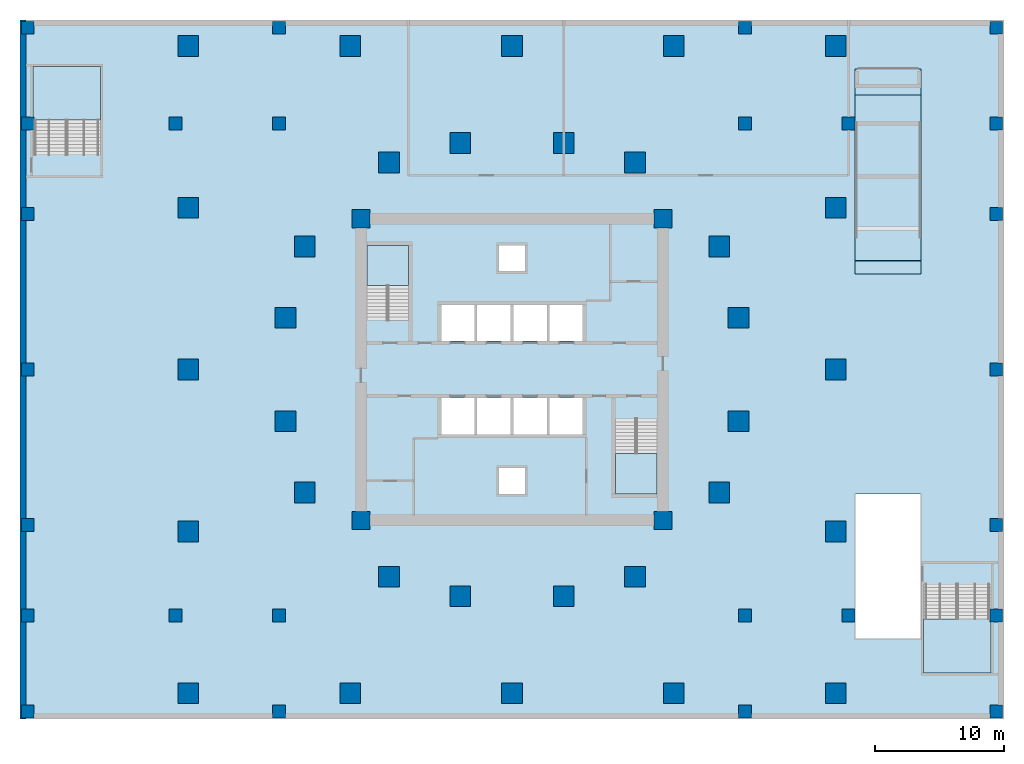
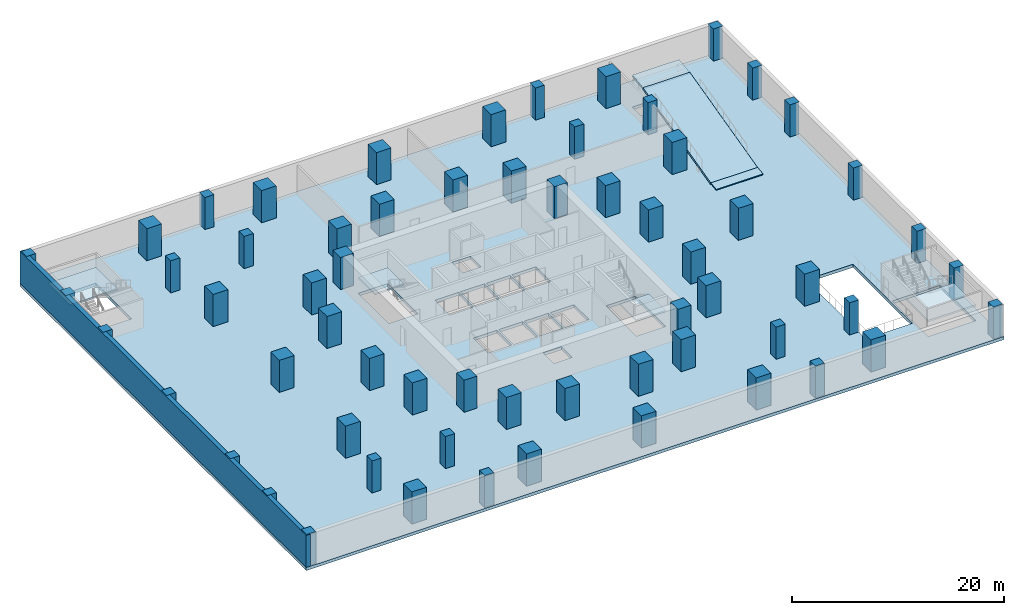
# One storey, part 1 of 9: 62 columns, 8 slabs, 1 wall, 4 elements without a shape of their own.
"""IFC4 building model written with IfcOpenShell, lengths in metres."""

from ifc_helpers import new_model, si_unit, direction, frame, frame_2d, origin, origin_2d, place, context, subcontext, project, spatial, polyline, rectangle, outline, extrude, material, layer, layer_set, material_profile, profile_set, type_object, element, aggregate, save


model = new_model("IFC4")

# Units and contexts
model_context = context("Model", 3, precision=1e-05, world=origin(), true_north=direction((0.0, 1.0)))
body_context = subcontext(model_context, "Body", "Model", "MODEL_VIEW")
ifc_project = project(units=[si_unit("LENGTHUNIT", "METRE"), si_unit("AREAUNIT", "SQUARE_METRE"), si_unit("VOLUMEUNIT", "CUBIC_METRE"), si_unit("PLANEANGLEUNIT", "RADIAN"), si_unit("MASSUNIT", "GRAM", prefix="KILO")], contexts=[model_context])

# Site, building, storey
site_placement = place(None, origin())
site = spatial("IfcSite", under=ifc_project, at=site_placement, CompositionType="ELEMENT")
building_placement = place(site_placement, origin())
building = spatial("IfcBuilding", under=site, at=building_placement, Name="Torsade Residences", CompositionType="ELEMENT")
storey_placement = place(building_placement, frame((0.0, 0.0, -3.699951171875)))
storey = spatial("IfcBuildingStorey", under=building, at=storey_placement, Name="B1", CompositionType="ELEMENT", Elevation=-3.699951171875)

# Columns
ifc_material_1 = material(Name="Concrete 40 MPa", Category="concrete")
ifc_material_profile_1 = material_profile(ifc_material_1, rectangle(XDim=1.0, YDim=1.0, at=origin_2d()), Name="RC 1000x1000")
ifc_profile_set_1 = profile_set([ifc_material_profile_1], Name="Concrete 40 MPa")
column_type_1 = type_object("IfcColumnType", Name="BASEMENT COLUMN RC 1000x1000", PredefinedType="COLUMN", material=ifc_profile_set_1)
for number, where, z_axis, x_axis, name in (
    (1, (2.60009765625, 3.60009765625, 0.0), (0.0, 0.0, 1.0), (1.0, 0.0, 0.0), "Column 1A B1"),
    (2, (2.60009765625, 11.0, 0.0), (0.0, 0.0, 1.0), (1.0, 0.0, 0.0), "Column 1B B1"),
    (3, (2.60009765625, 18.0, 0.0), (0.0, 0.0, 1.0), (1.0, 0.0, 0.0), "Column 1C B1"),
    (4, (2.60009765625, 30.0, 0.0), (0.0, 0.0, 1.0), (1.0, 0.0, 0.0), "Column 1D B1"),
    (5, (2.60009765625, 42.0, 0.0), (0.0, 0.0, 1.0), (1.0, 0.0, 0.0), "Column 1E B1"),
    (6, (2.60009765625, 49.0, 0.0), (0.0, 0.0, 1.0), (1.0, 0.0, 0.0), "Column 1F B1"),
    (7, (2.60009765625, 56.39990234375, 0.0), (0.0, 0.0, 1.0), (1.0, 0.0, 0.0), "Column 1G B1"),
    (8, (14.0, 11.0, 0.0), (0.0, 0.0, 1.0), (1.0, 0.0, 0.0), "Column 2B B1"),
    (9, (14.0, 49.0, 0.0), (0.0, 0.0, 1.0), (1.0, 0.0, 0.0), "Column 2F B1"),
    (10, (22.0, 3.60009765625, 0.0), (0.0, 0.0, 1.0), (1.0, 0.0, 0.0), "Column 3A B1"),
    (11, (22.0, 11.0, 0.0), (0.0, 0.0, 1.0), (1.0, 0.0, 0.0), "Column 3B B1"),
    (12, (22.0, 49.0, 0.0), (0.0, 0.0, 1.0), (1.0, 0.0, 0.0), "Column 3F B1"),
    (13, (22.0, 56.39990234375, 0.0), (0.0, 0.0, 1.0), (1.0, 0.0, 0.0), "Column 3G B1"),
    (14, (58.0, 3.60009765625, 0.0), (0.0, 0.0, 1.0), (1.0, 0.0, 0.0), "Column 7A B1"),
    (15, (58.0, 11.0, 0.0), (0.0, 0.0, 1.0), (1.0, 0.0, 0.0), "Column 7B B1"),
    (16, (58.0, 49.0, 0.0), (0.0, 0.0, 1.0), (1.0, 0.0, 0.0), "Column 7F B1"),
    (17, (58.0, 56.39990234375, 0.0), (0.0, 0.0, 1.0), (1.0, 0.0, 0.0), "Column 7G B1"),
    (18, (66.0, 11.0, 0.0), (0.0, 0.0, 1.0), (1.0, 0.0, 0.0), "Column 8B B1"),
    (19, (66.0, 49.0, 0.0), (0.0, 0.0, 1.0), (1.0, 0.0, 0.0), "Column 8F B1"),
    (20, (77.39990234375, 3.60009765625, 0.0), (0.0, 0.0, 1.0), (1.0, 0.0, 0.0), "Column 9A B1"),
    (21, (77.39990234375, 11.0, 0.0), (0.0, 0.0, 1.0), (1.0, 0.0, 0.0), "Column 9B B1"),
    (22, (77.39990234375, 18.0, 0.0), (0.0, 0.0, 1.0), (1.0, 0.0, 0.0), "Column 9C B1"),
    (23, (77.39990234375, 30.0, 0.0), (0.0, 0.0, 1.0), (1.0, 0.0, 0.0), "Column 9D B1"),
    (24, (77.39990234375, 42.0, 0.0), (0.0, 0.0, 1.0), (1.0, 0.0, 0.0), "Column 9E B1"),
    (25, (77.39990234375, 49.0, 0.0), (0.0, 0.0, 1.0), (1.0, 0.0, 0.0), "Column 9F B1"),
    (26, (77.39990234375, 56.39990234375, 0.0), (0.0, 0.0, 1.0), (1.0, 0.0, 0.0), "Column 9G B1"),
):
    element("IfcColumn", number, at=place(storey_placement, frame(where, z_axis=z_axis, x_axis=x_axis)), inside=storey, type_object=column_type_1, Name=name, PredefinedType="COLUMN", context=body_context, shape_type="SweptSolid", body=[
        extrude(rectangle(XDim=1.0, YDim=1.0, at=origin_2d()), origin(), (0.0, 0.0, 1.0), 3.699951171875),
    ])
ifc_material_2 = material(Name="Concrete 80 MPa", Category="concrete")
ifc_material_profile_2 = material_profile(ifc_material_2, rectangle(XDim=1.39990234375, YDim=1.39990234375, at=origin_2d()), Name="RC 1400x1400")
ifc_profile_set_2 = profile_set([ifc_material_profile_2], Name="Concrete 80 MPa")
column_type_2 = type_object("IfcColumnType", Name="CORE CORNER COLUMN RC 1400x1400", PredefinedType="COLUMN", material=ifc_profile_set_2)
for number, where, z_axis, x_axis, name in (
    (27, (28.35009765625, 18.35009765625, 0.0), (0.0, 0.0, 1.0), (1.0, 0.0, 0.0), "Core corner column CC1 B1"),
    (28, (51.64990234375, 18.35009765625, 0.0), (0.0, 0.0, 1.0), (1.0, 0.0, 0.0), "Core corner column CC2 B1"),
    (29, (51.64990234375, 41.64990234375, 0.0), (0.0, 0.0, 1.0), (1.0, 0.0, 0.0), "Core corner column CC3 B1"),
    (30, (28.35009765625, 41.64990234375, 0.0), (0.0, 0.0, 1.0), (1.0, 0.0, 0.0), "Core corner column CC4 B1"),
):
    element("IfcColumn", number, at=place(storey_placement, frame(where, z_axis=z_axis, x_axis=x_axis)), inside=storey, type_object=column_type_2, Name=name, PredefinedType="COLUMN", context=body_context, shape_type="SweptSolid", body=[
        extrude(rectangle(XDim=1.39990234375, YDim=1.39990234375, at=origin_2d()), origin(), (0.0, 0.0, 1.0), 3.699951171875),
    ])
ifc_material_3 = material(Name="Concrete 80 MPa", Category="concrete")
ifc_material_profile_3 = material_profile(ifc_material_3, rectangle(XDim=1.60009765625, YDim=1.60009765625, at=origin_2d()), Name="RC 1600x1600")
ifc_profile_set_3 = profile_set([ifc_material_profile_3], Name="Concrete 80 MPa")
column_type_3 = type_object("IfcColumnType", Name="INNER RING COLUMN RC 1600x1600", PredefinedType="COLUMN", material=ifc_profile_set_3)
for number, where, z_axis, x_axis, name in (
    (31, (57.5, 26.0, 0.0), (0.0, 0.0, 1.0), (1.0, 0.0, 0.0), "Inner ring column IR01 B1"),
    (32, (57.5, 34.0, 0.0), (0.0, 0.0, 1.0), (1.0, 0.0, 0.0), "Inner ring column IR02 B1"),
    (33, (56.0, 39.5, 0.0), (0.0, 0.0, 1.0), (1.0, 0.0, 0.0), "Inner ring column IR03 B1"),
    (34, (49.5, 46.0, 0.0), (0.0, 0.0, 1.0), (1.0, 0.0, 0.0), "Inner ring column IR04 B1"),
    (35, (44.0, 47.5, 0.0), (0.0, 0.0, 1.0), (1.0, 0.0, 0.0), "Inner ring column IR05 B1"),
    (36, (36.0, 47.5, 0.0), (0.0, 0.0, 1.0), (1.0, 0.0, 0.0), "Inner ring column IR06 B1"),
    (37, (30.5, 46.0, 0.0), (0.0, 0.0, 1.0), (1.0, 0.0, 0.0), "Inner ring column IR07 B1"),
    (38, (24.0, 39.5, 0.0), (0.0, 0.0, 1.0), (1.0, 0.0, 0.0), "Inner ring column IR08 B1"),
    (39, (22.5, 34.0, 0.0), (0.0, 0.0, 1.0), (1.0, 0.0, 0.0), "Inner ring column IR09 B1"),
    (40, (22.5, 26.0, 0.0), (0.0, 0.0, 1.0), (1.0, 0.0, 0.0), "Inner ring column IR10 B1"),
    (41, (24.0, 20.5, 0.0), (0.0, 0.0, 1.0), (1.0, 0.0, 0.0), "Inner ring column IR11 B1"),
    (42, (30.5, 14.0, 0.0), (0.0, 0.0, 1.0), (1.0, 0.0, 0.0), "Inner ring column IR12 B1"),
    (43, (36.0, 12.5, 0.0), (0.0, 0.0, 1.0), (1.0, 0.0, 0.0), "Inner ring column IR13 B1"),
    (44, (44.0, 12.5, 0.0), (0.0, 0.0, 1.0), (1.0, 0.0, 0.0), "Inner ring column IR14 B1"),
    (45, (49.5, 14.0, 0.0), (0.0, 0.0, 1.0), (1.0, 0.0, 0.0), "Inner ring column IR15 B1"),
    (46, (56.0, 20.5, 0.0), (0.0, 0.0, 1.0), (1.0, 0.0, 0.0), "Inner ring column IR16 B1"),
):
    element("IfcColumn", number, at=place(storey_placement, frame(where, z_axis=z_axis, x_axis=x_axis)), inside=storey, type_object=column_type_3, Name=name, PredefinedType="COLUMN", context=body_context, shape_type="SweptSolid", body=[
        extrude(rectangle(XDim=1.60009765625, YDim=1.60009765625, at=origin_2d()), origin(), (0.0, 0.0, 1.0), 3.699951171875),
    ])
ifc_material_4 = material(Name="Concrete 80 MPa", Category="concrete")
ifc_material_profile_4 = material_profile(ifc_material_4, rectangle(XDim=1.60009765625, YDim=1.60009765625, at=origin_2d()), Name="RC 1600x1600")
ifc_profile_set_4 = profile_set([ifc_material_profile_4], Name="Concrete 80 MPa")
column_type_4 = type_object("IfcColumnType", Name="TOWER COLUMN RC 1600x1600", PredefinedType="COLUMN", material=ifc_profile_set_4)
for number, where, z_axis, x_axis, name in (
    (47, (15.0, 5.0, 0.0), (0.0, 0.0, 1.0), (1.0, 0.0, 0.0), "Column TC1-01 B1"),
    (48, (27.5, 5.0, 0.0), (0.0, 0.0, 1.0), (1.0, 0.0, 0.0), "Column TC1-02 B1"),
    (49, (40.0, 5.0, 0.0), (0.0, 0.0, 1.0), (1.0, 0.0, 0.0), "Column TC1-03 B1"),
    (50, (52.5, 5.0, 0.0), (0.0, 0.0, 1.0), (1.0, 0.0, 0.0), "Column TC1-04 B1"),
    (51, (65.0, 5.0, 0.0), (0.0, 0.0, 1.0), (1.0, 0.0, 0.0), "Column TC1-05 B1"),
    (52, (65.0, 17.5, 0.0), (0.0, 0.0, 1.0), (1.0, 0.0, 0.0), "Column TC1-06 B1"),
    (53, (65.0, 30.0, 0.0), (0.0, 0.0, 1.0), (1.0, 0.0, 0.0), "Column TC1-07 B1"),
    (54, (65.0, 42.5, 0.0), (0.0, 0.0, 1.0), (1.0, 0.0, 0.0), "Column TC1-08 B1"),
    (55, (65.0, 55.0, 0.0), (0.0, 0.0, 1.0), (1.0, 0.0, 0.0), "Column TC1-09 B1"),
    (56, (52.5, 55.0, 0.0), (0.0, 0.0, 1.0), (1.0, 0.0, 0.0), "Column TC1-10 B1"),
    (57, (40.0, 55.0, 0.0), (0.0, 0.0, 1.0), (1.0, 0.0, 0.0), "Column TC1-11 B1"),
    (58, (27.5, 55.0, 0.0), (0.0, 0.0, 1.0), (1.0, 0.0, 0.0), "Column TC1-12 B1"),
    (59, (15.0, 55.0, 0.0), (0.0, 0.0, 1.0), (1.0, 0.0, 0.0), "Column TC1-13 B1"),
    (60, (15.0, 42.5, 0.0), (0.0, 0.0, 1.0), (1.0, 0.0, 0.0), "Column TC1-14 B1"),
    (61, (15.0, 30.0, 0.0), (0.0, 0.0, 1.0), (1.0, 0.0, 0.0), "Column TC1-15 B1"),
    (62, (15.0, 17.5, 0.0), (0.0, 0.0, 1.0), (1.0, 0.0, 0.0), "Column TC1-16 B1"),
):
    element("IfcColumn", number, at=place(storey_placement, frame(where, z_axis=z_axis, x_axis=x_axis)), inside=storey, type_object=column_type_4, Name=name, PredefinedType="COLUMN", context=body_context, shape_type="SweptSolid", body=[
        extrude(rectangle(XDim=1.60009765625, YDim=1.60009765625, at=origin_2d()), origin(), (0.0, 0.0, 1.0), 3.699951171875),
    ])

# Slabs
ifc_material_5 = material(Name="Concrete 40 MPa", Category="concrete")
ifc_layer_1 = layer(ifc_material_5, 0.35009765625)
ifc_layer_set_1 = layer_set([ifc_layer_1], Name="Concrete 40 MPa")
slab_type_1 = type_object("IfcSlabType", Name="BASEMENT FLAT SLAB 350", PredefinedType="FLOOR", material=ifc_layer_set_1)
slab_1_placement = place(storey_placement, frame((0.0, 0.0, -0.35009765625)))
element("IfcSlab", 63, at=slab_1_placement, inside=storey, type_object=slab_type_1, Name="Floor slab B1", PredefinedType="FLOOR", context=body_context, shape_type="SweptSolid", body=[
    extrude(outline(polyline([(78.0, 3.0), (78.0, 57.0), (2.0, 57.0), (2.0, 3.0), (78.0, 3.0)]), holes=[polyline([(28.800048828125, 33.8798828125), (32.0, 33.8798828125), (32.0, 39.60009765625), (28.800048828125, 39.60009765625), (28.800048828125, 33.8798828125)]), polyline([(48.0, 20.39990234375), (51.199951171875, 20.39990234375), (51.199951171875, 26.1201171875), (48.0, 26.1201171875), (48.0, 20.39990234375)]), polyline([(3.0, 46.679931640625), (8.199951171875, 46.679931640625), (8.199951171875, 53.419921875), (3.0, 53.419921875), (3.0, 46.679931640625)]), polyline([(71.800048828125, 6.580078125), (77.0, 6.580078125), (77.0, 13.320068359375), (71.800048828125, 13.320068359375), (71.800048828125, 6.580078125)]), polyline([(34.5, 32.199951171875), (37.10009765625, 32.199951171875), (37.10009765625, 35.0), (34.5, 35.0), (34.5, 32.199951171875)]), polyline([(42.89990234375, 25.0), (45.5, 25.0), (45.5, 27.800048828125), (42.89990234375, 27.800048828125), (42.89990234375, 25.0)]), polyline([(37.300048828125, 32.199951171875), (39.89990234375, 32.199951171875), (39.89990234375, 35.0), (37.300048828125, 35.0), (37.300048828125, 32.199951171875)]), polyline([(40.10009765625, 25.0), (42.699951171875, 25.0), (42.699951171875, 27.800048828125), (40.10009765625, 27.800048828125), (40.10009765625, 25.0)]), polyline([(40.10009765625, 32.199951171875), (42.699951171875, 32.199951171875), (42.699951171875, 35.0), (40.10009765625, 35.0), (40.10009765625, 32.199951171875)]), polyline([(37.300048828125, 25.0), (39.89990234375, 25.0), (39.89990234375, 27.800048828125), (37.300048828125, 27.800048828125), (37.300048828125, 25.0)]), polyline([(42.89990234375, 32.199951171875), (45.5, 32.199951171875), (45.5, 35.0), (42.89990234375, 35.0), (42.89990234375, 32.199951171875)]), polyline([(34.5, 25.0), (37.10009765625, 25.0), (37.10009765625, 27.800048828125), (34.5, 27.800048828125), (34.5, 25.0)]), polyline([(39.0, 37.60009765625), (41.0, 37.60009765625), (41.0, 39.60009765625), (39.0, 39.60009765625), (39.0, 37.60009765625)]), polyline([(39.0, 20.39990234375), (41.0, 20.39990234375), (41.0, 22.39990234375), (39.0, 22.39990234375), (39.0, 20.39990234375)]), polyline([(66.5, 9.199951171875), (71.60009765625, 9.199951171875), (71.60009765625, 20.39990234375), (66.5, 20.39990234375), (66.5, 9.199951171875)]), polyline([(66.5, 51.550048828125), (71.60009765625, 51.550048828125), (71.60009765625, 53.199951171875), (66.5, 53.199951171875), (66.5, 51.550048828125)])]), origin(), (0.0, 0.0, 1.0), 0.35009765625),
])
ifc_material_6 = material(Name="Concrete 40 MPa", Category="concrete")
ifc_layer_2 = layer(ifc_material_6, 0.239990234375)
ifc_layer_set_2 = layer_set([ifc_layer_2], Name="Concrete 40 MPa")
slab_type_2 = type_object("IfcSlabType", Name="CAR PARK RAMP SLAB 240", PredefinedType="USERDEFINED", material=ifc_layer_set_2)
slab_2_placement = place(storey_placement, frame((66.5, 38.39990234375, 0.25), z_axis=(0.0, -0.242531271163, 0.970143588603), x_axis=(1.0, 0.0, 0.0)))
element("IfcSlab", 64, at=slab_2_placement, inside=storey, type_object=slab_type_2, Name="Car park ramp R2 deck 2", ObjectType="VEHICLE RAMP", PredefinedType="USERDEFINED", context=body_context, shape_type="SweptSolid", body=[
    extrude(outline(polyline([(0.0, 0.0), (5.10009765625, 0.0), (5.10009765625, 13.193973529788833), (0.0, 13.193973529788833), (0.0, 0.0)])), origin(), (0.0, 0.0, -1.0), 0.239990234375),
])
slab_3_placement = place(storey_placement, frame((66.5, 51.199951171875, 3.449951171875), z_axis=(0.0, -0.124034734589, 0.992277876714), x_axis=(1.0, 0.0, 0.0)))
element("IfcSlab", 65, at=slab_3_placement, inside=storey, type_object=slab_type_2, Name="Car park ramp R2 deck 3", ObjectType="VEHICLE RAMP", PredefinedType="USERDEFINED", context=body_context, shape_type="SweptSolid", body=[
    extrude(outline(polyline([(0.0, 0.0), (5.10009765625, 0.0), (5.10009765625, 2.0155644370746373), (0.0, 2.0155644370746373), (0.0, 0.0)])), origin(), (0.0, 0.0, -1.0), 0.239990234375),
])
ifc_material_7 = material(Name="Concrete 40 MPa", Category="concrete")
ifc_layer_3 = layer(ifc_material_7, 0.1201171875)
ifc_layer_set_3 = layer_set([ifc_layer_3], Name="Concrete 40 MPa")
slab_type_3 = type_object("IfcSlabType", Name="CAR PARK RAMP TOE SLAB 120", PredefinedType="USERDEFINED", material=ifc_layer_set_3)
slab_4_placement = place(storey_placement, frame((66.5, 37.367431640625, 0.120849609375), z_axis=(0.0, -0.124121368196, 0.992267043672), x_axis=(1.0, 0.0, 0.0)))
element("IfcSlab", 66, at=slab_4_placement, inside=storey, type_object=slab_type_3, Name="Car park ramp R2 deck 1", ObjectType="VEHICLE RAMP", PredefinedType="USERDEFINED", context=body_context, shape_type="SweptSolid", body=[
    extrude(outline(polyline([(0.0, 0.0), (5.10009765625, 0.0), (5.10009765625, 1.0405169754550003), (0.0, 1.0405169754550003), (0.0, 0.0)])), origin(), (0.0, 0.0, -1.0), 0.1201171875),
])

# Stair, slab
ifc_material_8 = material(Name="Precast concrete 40 MPa", Category="concrete")
stair_type_1 = type_object("IfcStairType", Name="HALF-TURN FIRE STAIR 1500x3700", PredefinedType="HALF_TURN_STAIR", material=ifc_material_8)
stair_1_placement = place(storey_placement, origin())
stair_1 = element("IfcStair", 67, at=stair_1_placement, inside=storey, type_object=stair_type_1, Name="Stair ST1 B1", PredefinedType="HALF_TURN_STAIR")
ifc_material_9 = material(Name="Precast concrete 40 MPa", Category="concrete")
ifc_layer_4 = layer(ifc_material_9, 0.179931640625)
ifc_layer_set_4 = layer_set([ifc_layer_4], Name="Precast concrete 40 MPa")
slab_type_4 = type_object("IfcSlabType", Name="PRECAST STAIR LANDING 180", PredefinedType="LANDING", material=ifc_layer_set_4)
slab_5_placement = place(storey_placement, frame((0.0, 0.0, 1.669921875)))
slab_5 = element("IfcSlab", 68, at=slab_5_placement, type_object=slab_type_4, Name="ST1 landing 1", PredefinedType="LANDING", context=body_context, shape_type="SweptSolid", body=[
    extrude(outline(polyline([(28.800048828125, 36.47998046875), (32.0, 36.47998046875), (32.0, 39.60009765625), (28.800048828125, 39.60009765625), (28.800048828125, 36.47998046875)])), origin(), (0.0, 0.0, 1.0), 0.179931640625),
])
aggregate(stair_1, [slab_5])

stair_2_placement = place(storey_placement, origin())
stair_2 = element("IfcStair", 69, at=stair_2_placement, inside=storey, type_object=stair_type_1, Name="Stair ST2 B1", PredefinedType="HALF_TURN_STAIR")
slab_6_placement = place(storey_placement, frame((0.0, 0.0, 1.669921875)))
slab_6 = element("IfcSlab", 70, at=slab_6_placement, type_object=slab_type_4, Name="ST2 landing 1", PredefinedType="LANDING", context=body_context, shape_type="SweptSolid", body=[
    extrude(outline(polyline([(48.0, 20.39990234375), (51.199951171875, 20.39990234375), (51.199951171875, 23.52001953125), (48.0, 23.52001953125), (48.0, 20.39990234375)])), origin(), (0.0, 0.0, 1.0), 0.179931640625),
])
aggregate(stair_2, [slab_6])

ifc_material_10 = material(Name="Concrete 40 MPa", Category="concrete")
stair_type_2 = type_object("IfcStairType", Name="HALF-TURN PODIUM STAIR 2500x3700", PredefinedType="HALF_TURN_STAIR", material=ifc_material_10)
stair_3_placement = place(storey_placement, origin())
stair_3 = element("IfcStair", 71, at=stair_3_placement, inside=storey, type_object=stair_type_2, Name="Stair ST3 B1", PredefinedType="HALF_TURN_STAIR")
ifc_material_11 = material(Name="Concrete 40 MPa", Category="concrete")
ifc_layer_5 = layer(ifc_material_11, 0.199951171875)
ifc_layer_set_5 = layer_set([ifc_layer_5], Name="Concrete 40 MPa")
slab_type_5 = type_object("IfcSlabType", Name="STAIR LANDING 200", PredefinedType="LANDING", material=ifc_layer_set_5)
slab_7_placement = place(storey_placement, frame((0.0, 0.0, 1.64990234375)))
slab_7 = element("IfcSlab", 72, at=slab_7_placement, type_object=slab_type_5, Name="ST3 landing 1", PredefinedType="LANDING", context=body_context, shape_type="SweptSolid", body=[
    extrude(outline(polyline([(3.0, 49.280029296875), (8.199951171875, 49.280029296875), (8.199951171875, 53.419921875), (3.0, 53.419921875), (3.0, 49.280029296875)])), origin(), (0.0, 0.0, 1.0), 0.199951171875),
])
aggregate(stair_3, [slab_7])

stair_4_placement = place(storey_placement, origin())
stair_4 = element("IfcStair", 73, at=stair_4_placement, inside=storey, type_object=stair_type_2, Name="Stair ST4 B1", PredefinedType="HALF_TURN_STAIR")
slab_8_placement = place(storey_placement, frame((0.0, 0.0, 1.64990234375)))
slab_8 = element("IfcSlab", 74, at=slab_8_placement, type_object=slab_type_5, Name="ST4 landing 1", PredefinedType="LANDING", context=body_context, shape_type="SweptSolid", body=[
    extrude(outline(polyline([(71.800048828125, 6.580078125), (77.0, 6.580078125), (77.0, 10.719970703125), (71.800048828125, 10.719970703125), (71.800048828125, 6.580078125)])), origin(), (0.0, 0.0, 1.0), 0.199951171875),
])
aggregate(stair_4, [slab_8])

# Wall
ifc_material_12 = material(Name="Concrete 50 MPa", Category="concrete")
ifc_layer_6 = layer(ifc_material_12, 0.449951171875)
ifc_layer_set_6 = layer_set([ifc_layer_6], Name="Concrete 50 MPa")
wall_type = type_object("IfcWallType", Name="BASEMENT RETAINING WALL 450", PredefinedType="SHEAR", material=ifc_layer_set_6)
wall_placement = place(storey_placement, frame((2.22509765625, 57.0, 0.0), z_axis=(0.0, 0.0, 1.0), x_axis=(0.0, -1.0, 0.0)))
element("IfcWall", 75, at=wall_placement, inside=storey, type_object=wall_type, Name="Retaining wall W B1", PredefinedType="SHEAR", context=body_context, shape_type="SweptSolid", body=[
    extrude(rectangle(XDim=54.0, YDim=0.449951171875, at=frame_2d((27.0, 0.0))), origin(), (0.0, 0.0, 1.0), 3.699951171875),
])

save(model, "model.ifc")
